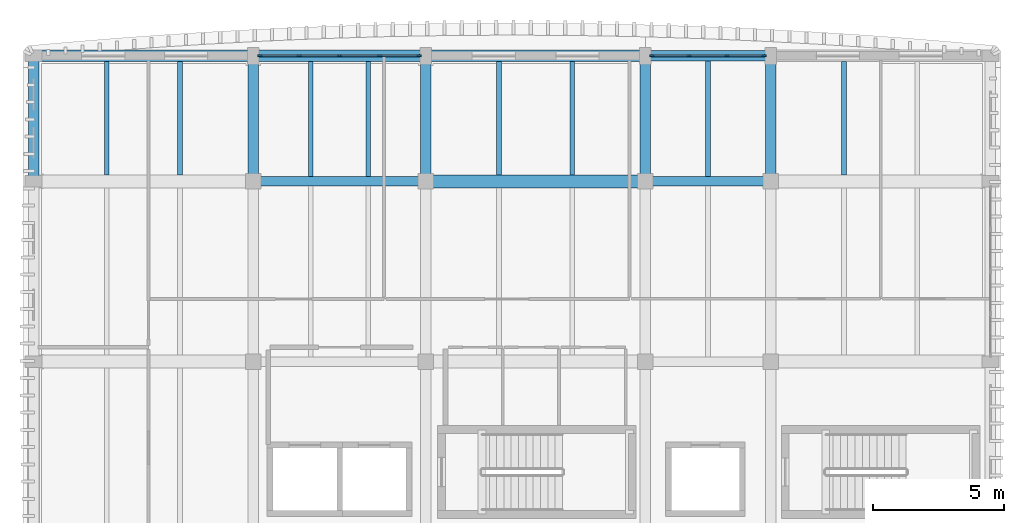
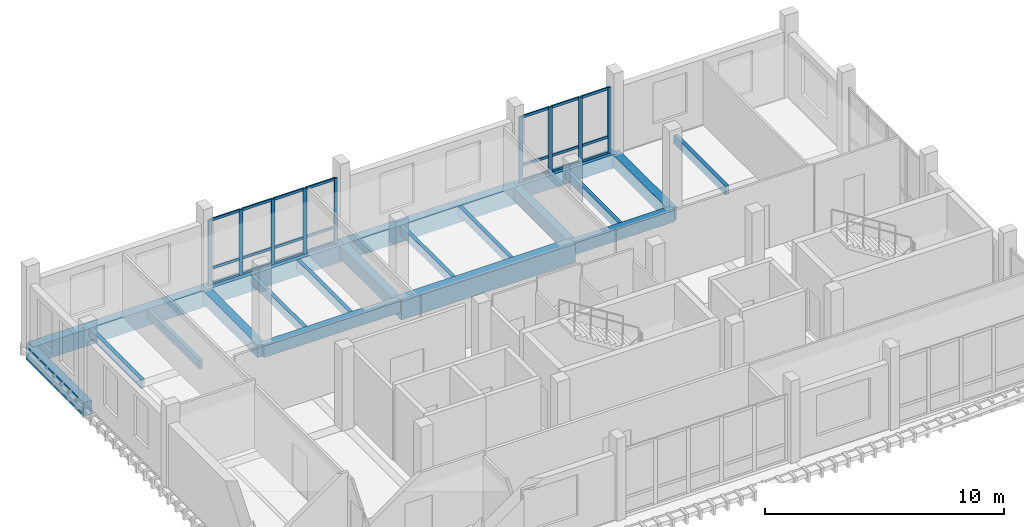
# One storey, part 4 of 16: 30 members, 20 beams, 2 elements without a shape of their own.
"""IFC4 building model written with IfcOpenShell, lengths in metres."""

from ifc_helpers import new_model, si_unit, direction, frame, origin, origin_2d, place, context, subcontext, project, spatial, rectangle, extrude, material, material_profile, profile_set, type_object, element, aggregate, save


model = new_model("IFC4")

# Units and contexts
model_context = context("Model", 3, precision=1e-05, world=origin(), true_north=direction((0.0, 1.0)))
body_context = subcontext(model_context, "Body", "Model", "MODEL_VIEW")
ifc_project = project(units=[si_unit("LENGTHUNIT", "METRE"), si_unit("AREAUNIT", "SQUARE_METRE"), si_unit("VOLUMEUNIT", "CUBIC_METRE"), si_unit("PLANEANGLEUNIT", "RADIAN"), si_unit("MASSUNIT", "GRAM", prefix="KILO")], contexts=[model_context])

# Site, building, storey
site_placement = place(None, origin())
site = spatial("IfcSite", under=ifc_project, at=site_placement, CompositionType="ELEMENT")
building_placement = place(site_placement, origin())
building = spatial("IfcBuilding", under=site, at=building_placement, Name="Dornvale Research Institute", CompositionType="ELEMENT")
storey_placement = place(building_placement, frame((0.0, 0.0, 38.39990234375)))
storey = spatial("IfcBuildingStorey", under=building, at=storey_placement, Name="L08", CompositionType="ELEMENT", Elevation=38.39990234375)

# Beams
ifc_material_1 = material(Name="Concrete f'c 45 MPa (C35/45)", Category="concrete")
ifc_material_profile_1 = material_profile(ifc_material_1, rectangle(XDim=0.35009765625, YDim=0.60009765625, at=origin_2d()), Name="RC 350x600")
ifc_profile_set_1 = profile_set([ifc_material_profile_1], Name="Concrete f'c 45 MPa (C35/45)")
beam_type_1 = type_object("IfcBeamType", Name="Beam_RC350x600_Floor", PredefinedType="BEAM", material=ifc_profile_set_1)
beam_1_placement = place(storey_placement, frame((13.199951171875, 117.300048828125, -0.2998046875), z_axis=(1.0, 0.0, 0.0), x_axis=(0.0, 1.0, 0.0)))
element("IfcBeam", 1, at=beam_1_placement, inside=storey, type_object=beam_type_1, Name="L08 primary girder #1678", PredefinedType="BEAM", context=body_context, shape_type="SweptSolid", body=[
    extrude(rectangle(XDim=0.35009765625, YDim=0.60009765625, at=origin_2d()), origin(), (0.0, 0.0, 1.0), 6.60009765625),
])
beam_2_placement = place(storey_placement, frame((28.199951171875, 117.300048828125, -0.2998046875), z_axis=(1.0, 0.0, 0.0), x_axis=(0.0, 1.0, 0.0)))
element("IfcBeam", 2, at=beam_2_placement, inside=storey, type_object=beam_type_1, Name="L08 primary girder #1680", PredefinedType="BEAM", context=body_context, shape_type="SweptSolid", body=[
    extrude(rectangle(XDim=0.35009765625, YDim=0.60009765625, at=origin_2d()), origin(), (0.0, 0.0, 1.0), 4.800048828125),
])
ifc_material_2 = material(Name="Concrete f'c 45 MPa (C35/45)", Category="concrete")
ifc_material_profile_2 = material_profile(ifc_material_2, rectangle(XDim=0.39990234375, YDim=0.64990234375, at=origin_2d()), Name="RC 400x650")
ifc_profile_set_2 = profile_set([ifc_material_profile_2], Name="Concrete f'c 45 MPa (C35/45)")
beam_type_2 = type_object("IfcBeamType", Name="Beam_RC400x650_Floor", PredefinedType="BEAM", material=ifc_profile_set_2)
for number, where, z_axis, x_axis, name in (
    (3, (13.199951171875, 117.300048828125, -0.324951171875), (0.0, 1.0, 0.0), (-1.0, 0.0, 0.0), "L08 transverse girder #1694"),
    (4, (19.800048828125, 117.300048828125, -0.324951171875), (0.0, 1.0, 0.0), (-1.0, 0.0, 0.0), "L08 transverse girder #1698"),
    (5, (28.199951171875, 117.300048828125, -0.324951171875), (0.0, 1.0, 0.0), (-1.0, 0.0, 0.0), "L08 transverse girder #1702"),
    (6, (33.0, 117.300048828125, -0.324951171875), (0.0, 1.0, 0.0), (-1.0, 0.0, 0.0), "L08 transverse girder #1706"),
):
    element("IfcBeam", number, at=place(storey_placement, frame(where, z_axis=z_axis, x_axis=x_axis)), inside=storey, type_object=beam_type_2, Name=name, PredefinedType="BEAM", context=body_context, shape_type="SweptSolid", body=[
        extrude(rectangle(XDim=0.39990234375, YDim=0.64990234375, at=origin_2d()), origin(), (0.0, 0.0, 1.0), 4.800048828125),
    ])
ifc_material_3 = material(Name="Concrete f'c 45 MPa (C35/45)", Category="concrete")
ifc_material_profile_3 = material_profile(ifc_material_3, rectangle(XDim=0.5, YDim=0.949951171875, at=origin_2d()), Name="RC 500x950")
ifc_profile_set_3 = profile_set([ifc_material_profile_3], Name="Concrete f'c 45 MPa (C35/45)")
beam_type_3 = type_object("IfcBeamType", Name="Beam_RC500x950_Girder", PredefinedType="BEAM", material=ifc_profile_set_3)
beam_3_placement = place(storey_placement, frame((19.800048828125, 117.300048828125, -0.474853515625), z_axis=(1.0, 0.0, 0.0), x_axis=(0.0, 1.0, 0.0)))
element("IfcBeam", 7, at=beam_3_placement, inside=storey, type_object=beam_type_3, Name="L08 primary girder #1679", PredefinedType="BEAM", context=body_context, shape_type="SweptSolid", body=[
    extrude(rectangle(XDim=0.5, YDim=0.949951171875, at=origin_2d()), origin(), (0.0, 0.0, 1.0), 8.39990234375),
])
ifc_material_4 = material(Name="Concrete f'c 45 MPa (C35/45)", Category="concrete")
ifc_material_profile_4 = material_profile(ifc_material_4, rectangle(XDim=0.179931640625, YDim=0.43505859375, at=origin_2d()), Name="RC 180x435")
ifc_profile_set_4 = profile_set([ifc_material_profile_4], Name="Concrete f'c 45 MPa (C35/45)")
beam_type_4 = type_object("IfcBeamType", Name="Joist_RC180x435_Rib", PredefinedType="JOIST", material=ifc_profile_set_4)
for number, where, z_axis, x_axis, name in (
    (8, (7.60009765625, 117.550048828125, -0.21728515625), (0.0, 1.0, 0.0), (-1.0, 0.0, 0.0), "L08 laboratory waffle joist #798"),
    (9, (10.39990234375, 117.550048828125, -0.21728515625), (0.0, 1.0, 0.0), (-1.0, 0.0, 0.0), "L08 laboratory waffle joist #799"),
):
    element("IfcBeam", number, at=place(storey_placement, frame(where, z_axis=z_axis, x_axis=x_axis)), inside=storey, type_object=beam_type_4, Name=name, PredefinedType="JOIST", context=body_context, shape_type="SweptSolid", body=[
        extrude(rectangle(XDim=0.179931640625, YDim=0.43505859375, at=origin_2d()), origin(), (0.0, 0.0, 1.0), 4.324951171875),
    ])
for number, where, z_axis, x_axis, name in (
    (10, (15.39990234375, 117.47509765625, -0.21728515625), (0.0, 1.0, 0.0), (-1.0, 0.0, 0.0), "L08 laboratory waffle joist #804"),
    (11, (17.60009765625, 117.47509765625, -0.21728515625), (0.0, 1.0, 0.0), (-1.0, 0.0, 0.0), "L08 laboratory waffle joist #805"),
):
    element("IfcBeam", number, at=place(storey_placement, frame(where, z_axis=z_axis, x_axis=x_axis)), inside=storey, type_object=beam_type_4, Name=name, PredefinedType="JOIST", context=body_context, shape_type="SweptSolid", body=[
        extrude(rectangle(XDim=0.179931640625, YDim=0.43505859375, at=origin_2d()), origin(), (0.0, 0.0, 1.0), 4.39990234375),
    ])
for number, where, z_axis, x_axis, name in (
    (12, (22.60009765625, 117.550048828125, -0.21728515625), (0.0, 1.0, 0.0), (-1.0, 0.0, 0.0), "L08 laboratory waffle joist #810"),
    (13, (25.39990234375, 117.550048828125, -0.21728515625), (0.0, 1.0, 0.0), (-1.0, 0.0, 0.0), "L08 laboratory waffle joist #811"),
):
    element("IfcBeam", number, at=place(storey_placement, frame(where, z_axis=z_axis, x_axis=x_axis)), inside=storey, type_object=beam_type_4, Name=name, PredefinedType="JOIST", context=body_context, shape_type="SweptSolid", body=[
        extrude(rectangle(XDim=0.179931640625, YDim=0.43505859375, at=origin_2d()), origin(), (0.0, 0.0, 1.0), 4.324951171875),
    ])
beam_4_placement = place(storey_placement, frame((30.60009765625, 117.47509765625, -0.21728515625), z_axis=(0.0, 1.0, 0.0), x_axis=(-1.0, 0.0, 0.0)))
element("IfcBeam", 14, at=beam_4_placement, inside=storey, type_object=beam_type_4, Name="L08 laboratory waffle joist #814", PredefinedType="JOIST", context=body_context, shape_type="SweptSolid", body=[
    extrude(rectangle(XDim=0.179931640625, YDim=0.43505859375, at=origin_2d()), origin(), (0.0, 0.0, 1.0), 4.4248046875),
])
beam_5_placement = place(storey_placement, frame((35.800048828125, 117.550048828125, -0.21728515625), z_axis=(0.0, 1.0, 0.0), x_axis=(-1.0, 0.0, 0.0)))
element("IfcBeam", 15, at=beam_5_placement, inside=storey, type_object=beam_type_4, Name="L08 laboratory waffle joist #819", PredefinedType="JOIST", context=body_context, shape_type="SweptSolid", body=[
    extrude(rectangle(XDim=0.179931640625, YDim=0.43505859375, at=origin_2d()), origin(), (0.0, 0.0, 1.0), 4.324951171875),
])

# Curtain wall, members
ifc_material_5 = material(Name="Low-E Argon Double Insulating Glazing Unit", Category="glass")
curtain_wall_type_1 = type_object("IfcCurtainWallType", Name="UnitisedCurtainWall_V5_6150x3350", PredefinedType="USERDEFINED", material=ifc_material_5)
curtain_wall_1_placement = place(storey_placement, origin())
curtain_wall_1 = element("IfcCurtainWall", 16, at=curtain_wall_1_placement, inside=storey, type_object=curtain_wall_type_1, Name="L08 V5 unitised curtain wall CW-34 #188", ObjectType="UNITISED CURTAIN WALL", PredefinedType="USERDEFINED")
ifc_material_6 = material(Name="Anodized Aluminum AA 6063-T6 Thermally Broken Frame", Category="aluminium")
ifc_material_profile_5 = material_profile(ifc_material_6, rectangle(XDim=0.06494140625, YDim=0.179931640625, at=origin_2d()), Name="ALU MULLION 65x180")
ifc_profile_set_5 = profile_set([ifc_material_profile_5], Name="Anodized Aluminum AA 6063-T6 Thermally Broken Frame")
member_type_1 = type_object("IfcMemberType", Name="Mullion_CW_65x180", PredefinedType="MULLION", material=ifc_profile_set_5)
member_1_placement = place(storey_placement, frame((13.45751953125, 122.10009765625, 0.0), z_axis=(0.0, 0.0, 1.0), x_axis=(0.0, 1.0, 0.0)))
member_1 = element("IfcMember", 17, at=member_1_placement, type_object=member_type_1, Name="CW-34 mullion 1", PredefinedType="MULLION", context=body_context, shape_type="SweptSolid", body=[
    extrude(rectangle(XDim=0.06494140625, YDim=0.179931640625, at=origin_2d()), origin(), (0.0, 0.0, 1.0), 3.35009765625),
])
member_2_placement = place(storey_placement, frame((14.96240234375, 122.10009765625, 0.0), z_axis=(0.0, 0.0, 1.0), x_axis=(0.0, 1.0, 0.0)))
member_2 = element("IfcMember", 18, at=member_2_placement, type_object=member_type_1, Name="CW-34 mullion 2", PredefinedType="MULLION", context=body_context, shape_type="SweptSolid", body=[
    extrude(rectangle(XDim=0.06494140625, YDim=0.179931640625, at=origin_2d()), origin(), (0.0, 0.0, 1.0), 3.35009765625),
])
member_3_placement = place(storey_placement, frame((16.5, 122.10009765625, 0.0), z_axis=(0.0, 0.0, 1.0), x_axis=(0.0, 1.0, 0.0)))
member_3 = element("IfcMember", 19, at=member_3_placement, type_object=member_type_1, Name="CW-34 mullion 3", PredefinedType="MULLION", context=body_context, shape_type="SweptSolid", body=[
    extrude(rectangle(XDim=0.06494140625, YDim=0.179931640625, at=origin_2d()), origin(), (0.0, 0.0, 1.0), 3.35009765625),
])
member_4_placement = place(storey_placement, frame((18.03759765625, 122.10009765625, 0.0), z_axis=(0.0, 0.0, 1.0), x_axis=(0.0, 1.0, 0.0)))
member_4 = element("IfcMember", 20, at=member_4_placement, type_object=member_type_1, Name="CW-34 mullion 4", PredefinedType="MULLION", context=body_context, shape_type="SweptSolid", body=[
    extrude(rectangle(XDim=0.06494140625, YDim=0.179931640625, at=origin_2d()), origin(), (0.0, 0.0, 1.0), 3.35009765625),
])
member_5_placement = place(storey_placement, frame((19.54248046875, 122.10009765625, 0.0), z_axis=(0.0, 0.0, 1.0), x_axis=(0.0, 1.0, 0.0)))
member_5 = element("IfcMember", 21, at=member_5_placement, type_object=member_type_1, Name="CW-34 mullion 5", PredefinedType="MULLION", context=body_context, shape_type="SweptSolid", body=[
    extrude(rectangle(XDim=0.06494140625, YDim=0.179931640625, at=origin_2d()), origin(), (0.0, 0.0, 1.0), 3.35009765625),
])

ifc_material_7 = material(Name="Low-E Argon Double Insulating Glazing Unit", Category="glass")
curtain_wall_type_2 = type_object("IfcCurtainWallType", Name="UnitisedCurtainWall_V5_4350x3350", PredefinedType="USERDEFINED", material=ifc_material_7)
curtain_wall_2_placement = place(storey_placement, origin())
curtain_wall_2 = element("IfcCurtainWall", 22, at=curtain_wall_2_placement, inside=storey, type_object=curtain_wall_type_2, Name="L08 V5 unitised curtain wall CW-35 #189", ObjectType="UNITISED CURTAIN WALL", PredefinedType="USERDEFINED")
member_6_placement = place(storey_placement, frame((28.45751953125, 122.10009765625, 0.0), z_axis=(0.0, 0.0, 1.0), x_axis=(0.0, 1.0, 0.0)))
member_6 = element("IfcMember", 23, at=member_6_placement, type_object=member_type_1, Name="CW-35 mullion 1", PredefinedType="MULLION", context=body_context, shape_type="SweptSolid", body=[
    extrude(rectangle(XDim=0.06494140625, YDim=0.179931640625, at=origin_2d()), origin(), (0.0, 0.0, 1.0), 3.35009765625),
])
member_7_placement = place(storey_placement, frame((29.875, 122.10009765625, 0.0), z_axis=(0.0, 0.0, 1.0), x_axis=(0.0, 1.0, 0.0)))
member_7 = element("IfcMember", 24, at=member_7_placement, type_object=member_type_1, Name="CW-35 mullion 2", PredefinedType="MULLION", context=body_context, shape_type="SweptSolid", body=[
    extrude(rectangle(XDim=0.06494140625, YDim=0.179931640625, at=origin_2d()), origin(), (0.0, 0.0, 1.0), 3.35009765625),
])
member_8_placement = place(storey_placement, frame((31.324951171875, 122.10009765625, 0.0), z_axis=(0.0, 0.0, 1.0), x_axis=(0.0, 1.0, 0.0)))
member_8 = element("IfcMember", 25, at=member_8_placement, type_object=member_type_1, Name="CW-35 mullion 3", PredefinedType="MULLION", context=body_context, shape_type="SweptSolid", body=[
    extrude(rectangle(XDim=0.06494140625, YDim=0.179931640625, at=origin_2d()), origin(), (0.0, 0.0, 1.0), 3.35009765625),
])
member_9_placement = place(storey_placement, frame((32.742431640625, 122.10009765625, 0.0), z_axis=(0.0, 0.0, 1.0), x_axis=(0.0, 1.0, 0.0)))
member_9 = element("IfcMember", 26, at=member_9_placement, type_object=member_type_1, Name="CW-35 mullion 4", PredefinedType="MULLION", context=body_context, shape_type="SweptSolid", body=[
    extrude(rectangle(XDim=0.06494140625, YDim=0.179931640625, at=origin_2d()), origin(), (0.0, 0.0, 1.0), 3.35009765625),
])

# Beams
ifc_material_8 = material(Name="Concrete f'c 45 MPa (C35/45)", Category="concrete")
ifc_material_profile_6 = material_profile(ifc_material_8, rectangle(XDim=0.39990234375, YDim=0.699951171875, at=origin_2d()), Name="RC 400x700")
ifc_profile_set_6 = profile_set([ifc_material_profile_6], Name="Concrete f'c 45 MPa (C35/45)")
beam_type_5 = type_object("IfcBeamType", Name="Spandrel_RC400x700_Ext", PredefinedType="SPANDREL", material=ifc_profile_set_6)
for number, where, z_axis, x_axis, name in (
    (27, (28.199951171875, 122.10009765625, -0.349853515625), (1.0, 0.0, 0.0), (0.0, 1.0, 0.0), "L08 perimeter spandrel #1685"),
    (28, (4.800048828125, 117.300048828125, -0.349853515625), (0.0, 1.0, 0.0), (-1.0, 0.0, 0.0), "L08 perimeter spandrel #1690"),
):
    element("IfcBeam", number, at=place(storey_placement, frame(where, z_axis=z_axis, x_axis=x_axis)), inside=storey, type_object=beam_type_5, Name=name, PredefinedType="SPANDREL", context=body_context, shape_type="SweptSolid", body=[
        extrude(rectangle(XDim=0.39990234375, YDim=0.699951171875, at=origin_2d()), origin(), (0.0, 0.0, 1.0), 4.800048828125),
    ])
ifc_material_9 = material(Name="Concrete f'c 45 MPa (C35/45)", Category="concrete")
ifc_material_profile_7 = material_profile(ifc_material_9, rectangle(XDim=0.449951171875, YDim=0.85009765625, at=origin_2d()), Name="RC 450x850")
ifc_profile_set_7 = profile_set([ifc_material_profile_7], Name="Concrete f'c 45 MPa (C35/45)")
beam_type_6 = type_object("IfcBeamType", Name="Spandrel_RC450x850_Ext", PredefinedType="SPANDREL", material=ifc_profile_set_7)
beam_6_placement = place(storey_placement, frame((4.800048828125, 122.10009765625, -0.4248046875), z_axis=(1.0, 0.0, 0.0), x_axis=(0.0, 1.0, 0.0)))
element("IfcBeam", 29, at=beam_6_placement, inside=storey, type_object=beam_type_6, Name="L08 perimeter spandrel #1682", PredefinedType="SPANDREL", context=body_context, shape_type="SweptSolid", body=[
    extrude(rectangle(XDim=0.449951171875, YDim=0.85009765625, at=origin_2d()), origin(), (0.0, 0.0, 1.0), 8.39990234375),
])
beam_7_placement = place(storey_placement, frame((13.199951171875, 122.10009765625, -0.4248046875), z_axis=(1.0, 0.0, 0.0), x_axis=(0.0, 1.0, 0.0)))
element("IfcBeam", 30, at=beam_7_placement, inside=storey, type_object=beam_type_6, Name="L08 perimeter spandrel #1683", PredefinedType="SPANDREL", context=body_context, shape_type="SweptSolid", body=[
    extrude(rectangle(XDim=0.449951171875, YDim=0.85009765625, at=origin_2d()), origin(), (0.0, 0.0, 1.0), 6.60009765625),
])
beam_8_placement = place(storey_placement, frame((19.800048828125, 122.10009765625, -0.4248046875), z_axis=(1.0, 0.0, 0.0), x_axis=(0.0, 1.0, 0.0)))
element("IfcBeam", 31, at=beam_8_placement, inside=storey, type_object=beam_type_6, Name="L08 perimeter spandrel #1684", PredefinedType="SPANDREL", context=body_context, shape_type="SweptSolid", body=[
    extrude(rectangle(XDim=0.449951171875, YDim=0.85009765625, at=origin_2d()), origin(), (0.0, 0.0, 1.0), 8.39990234375),
])

# Member
ifc_material_10 = material(Name="Anodized Aluminum AA 6063-T6 Thermally Broken Frame", Category="aluminium")
ifc_material_profile_8 = material_profile(ifc_material_10, rectangle(XDim=0.06494140625, YDim=0.135009765625, at=origin_2d()), Name="ALU TRANSOM 65x135")
ifc_profile_set_8 = profile_set([ifc_material_profile_8], Name="Anodized Aluminum AA 6063-T6 Thermally Broken Frame")
member_type_2 = type_object("IfcMemberType", Name="Transom_CW_65x135", PredefinedType="USERDEFINED", material=ifc_profile_set_8)
member_10_placement = place(storey_placement, frame((13.489990234375, 122.10009765625, 0.03271484375), z_axis=(1.0, 0.0, 0.0), x_axis=(0.0, 1.0, 0.0)))
member_10 = element("IfcMember", 32, at=member_10_placement, type_object=member_type_2, Name="CW-34 transom 1.1", ObjectType="TRANSOM", PredefinedType="USERDEFINED", context=body_context, shape_type="SweptSolid", body=[
    extrude(rectangle(XDim=0.06494140625, YDim=0.135009765625, at=origin_2d()), origin(), (0.0, 0.0, 1.0), 1.43994140625),
])

member_11_placement = place(storey_placement, frame((13.489990234375, 122.10009765625, 0.85009765625), z_axis=(1.0, 0.0, 0.0), x_axis=(0.0, 1.0, 0.0)))
member_11 = element("IfcMember", 33, at=member_11_placement, type_object=member_type_2, Name="CW-34 transom 1.2", ObjectType="TRANSOM", PredefinedType="USERDEFINED", context=body_context, shape_type="SweptSolid", body=[
    extrude(rectangle(XDim=0.06494140625, YDim=0.135009765625, at=origin_2d()), origin(), (0.0, 0.0, 1.0), 1.43994140625),
])

member_12_placement = place(storey_placement, frame((13.489990234375, 122.10009765625, 3.317626953125), z_axis=(1.0, 0.0, 0.0), x_axis=(0.0, 1.0, 0.0)))
member_12 = element("IfcMember", 34, at=member_12_placement, type_object=member_type_2, Name="CW-34 transom 1.3", ObjectType="TRANSOM", PredefinedType="USERDEFINED", context=body_context, shape_type="SweptSolid", body=[
    extrude(rectangle(XDim=0.06494140625, YDim=0.135009765625, at=origin_2d()), origin(), (0.0, 0.0, 1.0), 1.43994140625),
])

member_13_placement = place(storey_placement, frame((14.9951171875, 122.10009765625, 0.03271484375), z_axis=(1.0, 0.0, 0.0), x_axis=(0.0, 1.0, 0.0)))
member_13 = element("IfcMember", 35, at=member_13_placement, type_object=member_type_2, Name="CW-34 transom 2.1", ObjectType="TRANSOM", PredefinedType="USERDEFINED", context=body_context, shape_type="SweptSolid", body=[
    extrude(rectangle(XDim=0.06494140625, YDim=0.135009765625, at=origin_2d()), origin(), (0.0, 0.0, 1.0), 1.472412109375),
])

member_14_placement = place(storey_placement, frame((14.9951171875, 122.10009765625, 0.85009765625), z_axis=(1.0, 0.0, 0.0), x_axis=(0.0, 1.0, 0.0)))
member_14 = element("IfcMember", 36, at=member_14_placement, type_object=member_type_2, Name="CW-34 transom 2.2", ObjectType="TRANSOM", PredefinedType="USERDEFINED", context=body_context, shape_type="SweptSolid", body=[
    extrude(rectangle(XDim=0.06494140625, YDim=0.135009765625, at=origin_2d()), origin(), (0.0, 0.0, 1.0), 1.472412109375),
])

member_15_placement = place(storey_placement, frame((14.9951171875, 122.10009765625, 3.317626953125), z_axis=(1.0, 0.0, 0.0), x_axis=(0.0, 1.0, 0.0)))
member_15 = element("IfcMember", 37, at=member_15_placement, type_object=member_type_2, Name="CW-34 transom 2.3", ObjectType="TRANSOM", PredefinedType="USERDEFINED", context=body_context, shape_type="SweptSolid", body=[
    extrude(rectangle(XDim=0.06494140625, YDim=0.135009765625, at=origin_2d()), origin(), (0.0, 0.0, 1.0), 1.472412109375),
])

member_16_placement = place(storey_placement, frame((16.532470703125, 122.10009765625, 0.03271484375), z_axis=(1.0, 0.0, 0.0), x_axis=(0.0, 1.0, 0.0)))
member_16 = element("IfcMember", 38, at=member_16_placement, type_object=member_type_2, Name="CW-34 transom 3.1", ObjectType="TRANSOM", PredefinedType="USERDEFINED", context=body_context, shape_type="SweptSolid", body=[
    extrude(rectangle(XDim=0.06494140625, YDim=0.135009765625, at=origin_2d()), origin(), (0.0, 0.0, 1.0), 1.472412109375),
])

member_17_placement = place(storey_placement, frame((16.532470703125, 122.10009765625, 0.85009765625), z_axis=(1.0, 0.0, 0.0), x_axis=(0.0, 1.0, 0.0)))
member_17 = element("IfcMember", 39, at=member_17_placement, type_object=member_type_2, Name="CW-34 transom 3.2", ObjectType="TRANSOM", PredefinedType="USERDEFINED", context=body_context, shape_type="SweptSolid", body=[
    extrude(rectangle(XDim=0.06494140625, YDim=0.135009765625, at=origin_2d()), origin(), (0.0, 0.0, 1.0), 1.472412109375),
])

member_18_placement = place(storey_placement, frame((16.532470703125, 122.10009765625, 3.317626953125), z_axis=(1.0, 0.0, 0.0), x_axis=(0.0, 1.0, 0.0)))
member_18 = element("IfcMember", 40, at=member_18_placement, type_object=member_type_2, Name="CW-34 transom 3.3", ObjectType="TRANSOM", PredefinedType="USERDEFINED", context=body_context, shape_type="SweptSolid", body=[
    extrude(rectangle(XDim=0.06494140625, YDim=0.135009765625, at=origin_2d()), origin(), (0.0, 0.0, 1.0), 1.472412109375),
])

member_19_placement = place(storey_placement, frame((18.070068359375, 122.10009765625, 0.03271484375), z_axis=(1.0, 0.0, 0.0), x_axis=(0.0, 1.0, 0.0)))
member_19 = element("IfcMember", 41, at=member_19_placement, type_object=member_type_2, Name="CW-34 transom 4.1", ObjectType="TRANSOM", PredefinedType="USERDEFINED", context=body_context, shape_type="SweptSolid", body=[
    extrude(rectangle(XDim=0.06494140625, YDim=0.135009765625, at=origin_2d()), origin(), (0.0, 0.0, 1.0), 1.43994140625),
])

member_20_placement = place(storey_placement, frame((18.070068359375, 122.10009765625, 0.85009765625), z_axis=(1.0, 0.0, 0.0), x_axis=(0.0, 1.0, 0.0)))
member_20 = element("IfcMember", 42, at=member_20_placement, type_object=member_type_2, Name="CW-34 transom 4.2", ObjectType="TRANSOM", PredefinedType="USERDEFINED", context=body_context, shape_type="SweptSolid", body=[
    extrude(rectangle(XDim=0.06494140625, YDim=0.135009765625, at=origin_2d()), origin(), (0.0, 0.0, 1.0), 1.43994140625),
])

member_21_placement = place(storey_placement, frame((18.070068359375, 122.10009765625, 3.317626953125), z_axis=(1.0, 0.0, 0.0), x_axis=(0.0, 1.0, 0.0)))
member_21 = element("IfcMember", 43, at=member_21_placement, type_object=member_type_2, Name="CW-34 transom 4.3", ObjectType="TRANSOM", PredefinedType="USERDEFINED", context=body_context, shape_type="SweptSolid", body=[
    extrude(rectangle(XDim=0.06494140625, YDim=0.135009765625, at=origin_2d()), origin(), (0.0, 0.0, 1.0), 1.43994140625),
])

aggregate(curtain_wall_1, [member_1, member_2, member_3, member_4, member_5, member_10, member_11, member_12, member_13, member_14, member_15, member_16, member_17, member_18, member_19, member_20, member_21])

member_22_placement = place(storey_placement, frame((28.489990234375, 122.10009765625, 0.03271484375), z_axis=(1.0, 0.0, 0.0), x_axis=(0.0, 1.0, 0.0)))
member_22 = element("IfcMember", 44, at=member_22_placement, type_object=member_type_2, Name="CW-35 transom 1.1", ObjectType="TRANSOM", PredefinedType="USERDEFINED", context=body_context, shape_type="SweptSolid", body=[
    extrude(rectangle(XDim=0.06494140625, YDim=0.135009765625, at=origin_2d()), origin(), (0.0, 0.0, 1.0), 1.3525390625),
])

member_23_placement = place(storey_placement, frame((28.489990234375, 122.10009765625, 0.85009765625), z_axis=(1.0, 0.0, 0.0), x_axis=(0.0, 1.0, 0.0)))
member_23 = element("IfcMember", 45, at=member_23_placement, type_object=member_type_2, Name="CW-35 transom 1.2", ObjectType="TRANSOM", PredefinedType="USERDEFINED", context=body_context, shape_type="SweptSolid", body=[
    extrude(rectangle(XDim=0.06494140625, YDim=0.135009765625, at=origin_2d()), origin(), (0.0, 0.0, 1.0), 1.3525390625),
])

member_24_placement = place(storey_placement, frame((28.489990234375, 122.10009765625, 3.317626953125), z_axis=(1.0, 0.0, 0.0), x_axis=(0.0, 1.0, 0.0)))
member_24 = element("IfcMember", 46, at=member_24_placement, type_object=member_type_2, Name="CW-35 transom 1.3", ObjectType="TRANSOM", PredefinedType="USERDEFINED", context=body_context, shape_type="SweptSolid", body=[
    extrude(rectangle(XDim=0.06494140625, YDim=0.135009765625, at=origin_2d()), origin(), (0.0, 0.0, 1.0), 1.3525390625),
])

member_25_placement = place(storey_placement, frame((29.907470703125, 122.10009765625, 0.03271484375), z_axis=(1.0, 0.0, 0.0), x_axis=(0.0, 1.0, 0.0)))
member_25 = element("IfcMember", 47, at=member_25_placement, type_object=member_type_2, Name="CW-35 transom 2.1", ObjectType="TRANSOM", PredefinedType="USERDEFINED", context=body_context, shape_type="SweptSolid", body=[
    extrude(rectangle(XDim=0.06494140625, YDim=0.135009765625, at=origin_2d()), origin(), (0.0, 0.0, 1.0), 1.385009765625),
])

member_26_placement = place(storey_placement, frame((29.907470703125, 122.10009765625, 0.85009765625), z_axis=(1.0, 0.0, 0.0), x_axis=(0.0, 1.0, 0.0)))
member_26 = element("IfcMember", 48, at=member_26_placement, type_object=member_type_2, Name="CW-35 transom 2.2", ObjectType="TRANSOM", PredefinedType="USERDEFINED", context=body_context, shape_type="SweptSolid", body=[
    extrude(rectangle(XDim=0.06494140625, YDim=0.135009765625, at=origin_2d()), origin(), (0.0, 0.0, 1.0), 1.385009765625),
])

member_27_placement = place(storey_placement, frame((29.907470703125, 122.10009765625, 3.317626953125), z_axis=(1.0, 0.0, 0.0), x_axis=(0.0, 1.0, 0.0)))
member_27 = element("IfcMember", 49, at=member_27_placement, type_object=member_type_2, Name="CW-35 transom 2.3", ObjectType="TRANSOM", PredefinedType="USERDEFINED", context=body_context, shape_type="SweptSolid", body=[
    extrude(rectangle(XDim=0.06494140625, YDim=0.135009765625, at=origin_2d()), origin(), (0.0, 0.0, 1.0), 1.385009765625),
])

member_28_placement = place(storey_placement, frame((31.357421875, 122.10009765625, 0.03271484375), z_axis=(1.0, 0.0, 0.0), x_axis=(0.0, 1.0, 0.0)))
member_28 = element("IfcMember", 50, at=member_28_placement, type_object=member_type_2, Name="CW-35 transom 3.1", ObjectType="TRANSOM", PredefinedType="USERDEFINED", context=body_context, shape_type="SweptSolid", body=[
    extrude(rectangle(XDim=0.06494140625, YDim=0.135009765625, at=origin_2d()), origin(), (0.0, 0.0, 1.0), 1.3525390625),
])

member_29_placement = place(storey_placement, frame((31.357421875, 122.10009765625, 0.85009765625), z_axis=(1.0, 0.0, 0.0), x_axis=(0.0, 1.0, 0.0)))
member_29 = element("IfcMember", 51, at=member_29_placement, type_object=member_type_2, Name="CW-35 transom 3.2", ObjectType="TRANSOM", PredefinedType="USERDEFINED", context=body_context, shape_type="SweptSolid", body=[
    extrude(rectangle(XDim=0.06494140625, YDim=0.135009765625, at=origin_2d()), origin(), (0.0, 0.0, 1.0), 1.3525390625),
])

member_30_placement = place(storey_placement, frame((31.357421875, 122.10009765625, 3.317626953125), z_axis=(1.0, 0.0, 0.0), x_axis=(0.0, 1.0, 0.0)))
member_30 = element("IfcMember", 52, at=member_30_placement, type_object=member_type_2, Name="CW-35 transom 3.3", ObjectType="TRANSOM", PredefinedType="USERDEFINED", context=body_context, shape_type="SweptSolid", body=[
    extrude(rectangle(XDim=0.06494140625, YDim=0.135009765625, at=origin_2d()), origin(), (0.0, 0.0, 1.0), 1.3525390625),
])

aggregate(curtain_wall_2, [member_6, member_7, member_8, member_9, member_22, member_23, member_24, member_25, member_26, member_27, member_28, member_29, member_30])

save(model, "model.ifc")
